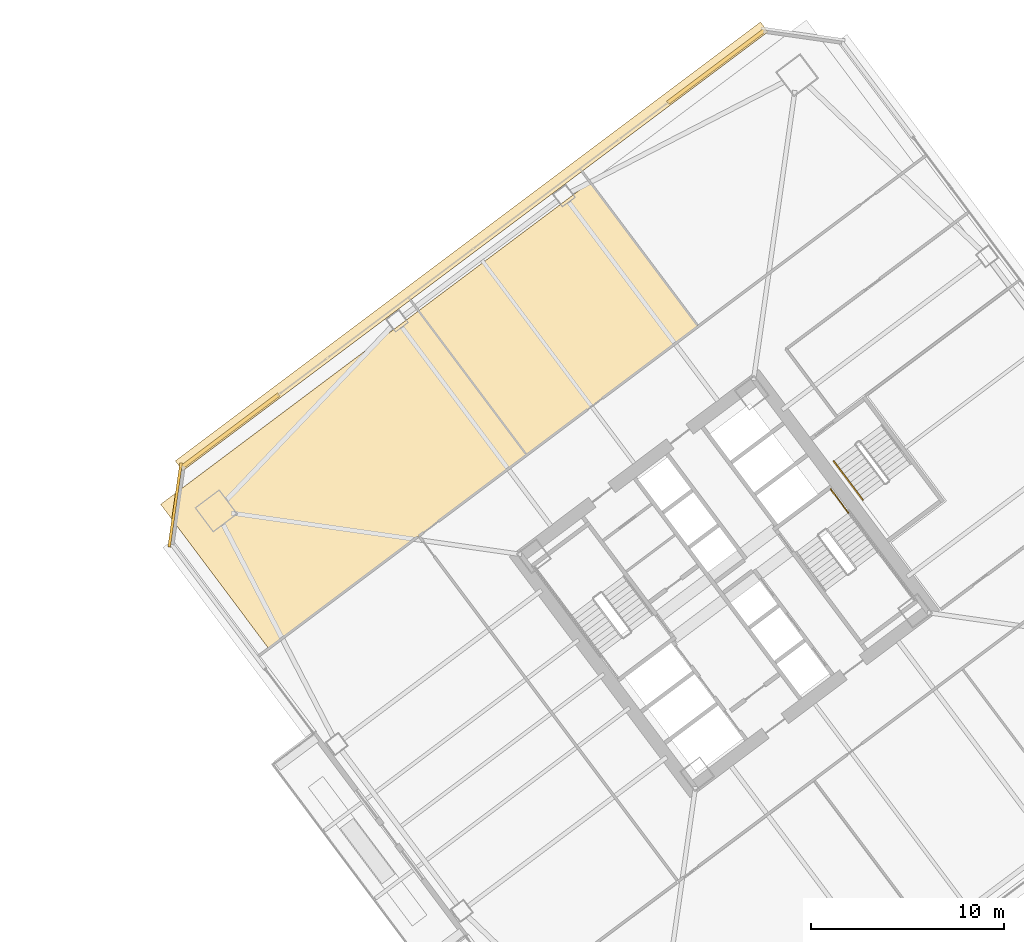
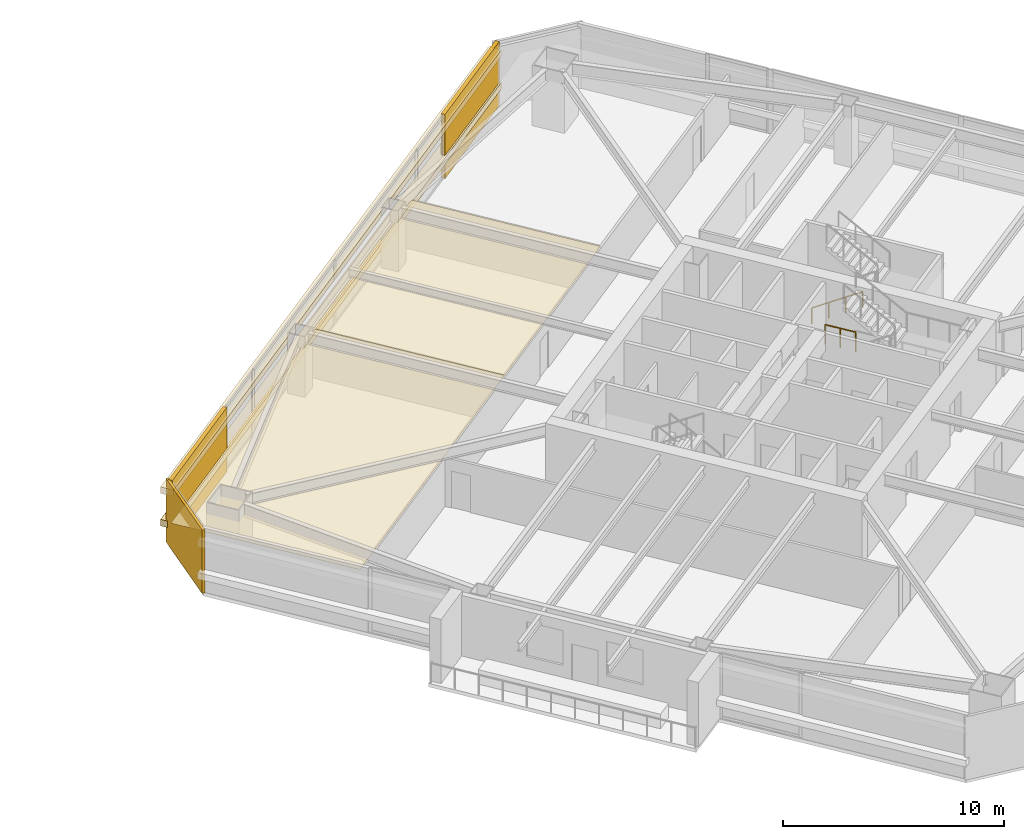
# One storey, part 45 of 48: 7 coverings, 2 railings.
"""IFC4 building model written with IfcOpenShell, lengths in metres."""

from ifc_helpers import new_model, si_unit, direction, frame, origin, origin_2d, place, context, subcontext, project, spatial, polyline, rectangle, outline, extrude, material, layer, layer_set, type_object, element, save


model = new_model("IFC4")

# Units and contexts
model_context = context("Model", 3, precision=1e-05, world=origin(), true_north=direction((0.0, 1.0)))
body_context = subcontext(model_context, "Body", "Model", "MODEL_VIEW")
ifc_project = project(units=[si_unit("LENGTHUNIT", "METRE"), si_unit("AREAUNIT", "SQUARE_METRE"), si_unit("VOLUMEUNIT", "CUBIC_METRE"), si_unit("PLANEANGLEUNIT", "RADIAN"), si_unit("MASSUNIT", "GRAM", prefix="KILO")], contexts=[model_context])

# Site, building, storey
site_placement = place(None, origin())
site = spatial("IfcSite", under=ifc_project, at=site_placement, CompositionType="ELEMENT")
building_placement = place(site_placement, origin())
building = spatial("IfcBuilding", under=site, at=building_placement, Name="Tashvorn Skyway Center", CompositionType="ELEMENT")
storey_placement = place(building_placement, frame((0.0, 0.0, 56.550048828125)))
storey = spatial("IfcBuildingStorey", under=building, at=storey_placement, Name="L14", CompositionType="ELEMENT", Elevation=56.550048828125)

# Coverings
ifc_material_1 = material(Name="Precast concrete C40/50", Category="concrete")
ifc_layer_1 = layer(ifc_material_1, 0.199951171875)
ifc_layer_set_1 = layer_set([ifc_layer_1], Name="Precast concrete C40/50")
covering_type_1 = type_object("IfcCoveringType", Name="COV-BRACE-CLAD", PredefinedType="CLADDING", material=ifc_layer_set_1)
for number, where, z_axis, x_axis, name in (
    (1, (88.4052734375, 39.904052734375, 0.0), (0.0, 0.0, 1.0), (0.799999996291, 0.600000004945, 0.0), "Tower 2 L14 North Unitised Curtain Wall Mega-Brace Cladding Band 1"),
    (2, (113.57861328125, 58.783935546875, 0.0), (0.0, 0.0, 1.0), (0.799999996291, 0.600000004945, 0.0), "Tower 2 L14 North Unitised Curtain Wall Mega-Brace Cladding Band 2"),
):
    element("IfcCovering", number, at=place(storey_placement, frame(where, z_axis=z_axis, x_axis=x_axis)), inside=storey, type_object=covering_type_1, Name=name, PredefinedType="CLADDING", context=body_context, shape_type="SweptSolid", body=[
        extrude(rectangle(XDim=6.29345703125, YDim=0.199951171875, at=origin_2d()), origin(), (0.0, 0.0, 1.0), 3.550048828125),
    ])
ifc_material_2 = material(Name="Mineral-fibre acoustic ceiling tile on suspended grid")
ifc_layer_2 = layer(ifc_material_2, 0.02001953125)
ifc_layer_set_2 = layer_set([ifc_layer_2], Name="Mineral-fibre acoustic ceiling tile on suspended grid")
covering_type_2 = type_object("IfcCoveringType", Name="COV-CEIL-20", PredefinedType="CEILING", material=ifc_layer_set_2)
covering_1_placement = place(storey_placement, frame((0.0, 0.0, 2.682861328125)))
element("IfcCovering", 3, at=covering_1_placement, inside=storey, type_object=covering_type_2, Name="Tower 2 L14 Operations Control Room Acoustic Ceiling", PredefinedType="CEILING", context=body_context, shape_type="SweptSolid", body=[
    extrude(outline(polyline([(90.39794921875, 28.635986328125), (103.758056640625, 38.656005859375), (98.159912109375, 46.1201171875), (84.800048828125, 36.10009765625), (90.39794921875, 28.635986328125)])), origin(), (0.0, 0.0, 1.0), 0.02001953125),
])
covering_2_placement = place(storey_placement, frame((0.0, 0.0, 2.682861328125)))
element("IfcCovering", 4, at=covering_2_placement, inside=storey, type_object=covering_type_2, Name="Tower 2 L14 Operations Control Room Acoustic Ceiling", PredefinedType="CEILING", context=body_context, shape_type="SweptSolid", body=[
    extrude(outline(polyline([(103.758056640625, 38.656005859375), (112.637939453125, 45.31591796875), (107.0400390625, 52.780029296875), (98.159912109375, 46.1201171875), (103.758056640625, 38.656005859375)])), origin(), (0.0, 0.0, 1.0), 0.02001953125),
])
ifc_material_3 = material(Name="Perforated ceramic-coated bronze aluminium solar screen", Category="aluminium")
ifc_layer_3 = layer(ifc_material_3, 0.85009765625)
ifc_layer_set_3 = layer_set([ifc_layer_3], Name="Perforated ceramic-coated bronze aluminium solar screen")
covering_type_3 = type_object("IfcCoveringType", Name="COV-SOLAR-BAND", PredefinedType="CLADDING", material=ifc_layer_set_3)
for number, where, z_axis, x_axis, name in (
    (5, (100.907958984375, 49.4560546875, 0.919921875), (0.0, 0.0, 1.0), (0.799999996291, 0.600000004945, 0.0), "L14 Perforated Ceramic-Metal Solar Screen Louvre Band North 1"),
    (6, (100.907958984375, 49.4560546875, 2.7197265625), (0.0, 0.0, 1.0), (0.799999996291, 0.600000004945, 0.0), "L14 Perforated Ceramic-Metal Solar Screen Louvre Band North 2"),
):
    element("IfcCovering", number, at=place(storey_placement, frame(where, z_axis=z_axis, x_axis=x_axis)), inside=storey, type_object=covering_type_3, Name=name, PredefinedType="CLADDING", context=body_context, shape_type="SweptSolid", body=[
        extrude(rectangle(XDim=37.8798828125, YDim=0.639892578125, at=origin_2d()), origin(), (0.0, 0.0, 1.0), 0.360107421875),
    ])
ifc_layer_4 = layer(ifc_material_1, 0.35009765625)
ifc_layer_set_4 = layer_set([ifc_layer_4], Name="Precast concrete C40/50")
covering_type_4 = type_object("IfcCoveringType", Name="COV-STONE-TRIM", PredefinedType="CLADDING", material=ifc_layer_set_4)
covering_3_placement = place(storey_placement, frame((85.552001953125, 36.06396484375, 0.02001953125), z_axis=(0.0, 0.0, 1.0), x_axis=(-0.141421350118, -0.989949494535, 0.0)))
element("IfcCovering", 7, at=covering_3_placement, inside=storey, type_object=covering_type_4, Name="Tower 2 L14 NW Mojave Limestone Corner Quoin", PredefinedType="CLADDING", context=body_context, shape_type="SweptSolid", body=[
    extrude(rectangle(XDim=4.402587890625, YDim=0.139892578125, at=origin_2d()), origin(), (0.0, 0.0, 1.0), 3.510009765625),
])

# Railings
ifc_material_4 = material(Name="Brushed stainless steel 316", Category="steel")
railing_type_1 = type_object("IfcRailingType", Name="RAIL-HAND-920", PredefinedType="HANDRAIL", material=ifc_material_4)
railing_1_placement = place(storey_placement, frame((119.656005859375, 38.342041015625, 0.177490234375)))
element("IfcRailing", 8, at=railing_1_placement, inside=storey, type_object=railing_type_1, Name="L14 ST-T2-3 stair handrail 1", PredefinedType="HANDRAIL", context=body_context, shape_type="SweptSolid", body=[
    extrude(rectangle(XDim=0.048095703125, YDim=0.048095703125, at=origin_2d()), frame((0.0, 0.0, 0.8759765625), z_axis=(0.506740800098, -0.675708949977, 0.535379469569), x_axis=(0.800023250257, 0.599968998406, 0.0)), (0.0, 0.0, 1.0), 2.983642578125),
    extrude(rectangle(XDim=0.0419921875, YDim=0.0419921875, at=origin_2d()), origin(), (0.0, 0.0, 1.0), 0.851806640625),
    extrude(rectangle(XDim=0.0419921875, YDim=0.0419921875, at=origin_2d()), frame((0.50390625, -0.672119140625, 0.532470703125)), (0.0, 0.0, 1.0), 0.851806640625),
    extrude(rectangle(XDim=0.0419921875, YDim=0.0419921875, at=origin_2d()), frame((1.008056640625, -1.343994140625, 1.06494140625)), (0.0, 0.0, 1.0), 0.851806640625),
    extrude(rectangle(XDim=0.0419921875, YDim=0.0419921875, at=origin_2d()), frame((1.511962890625, -2.01611328125, 1.597412109375)), (0.0, 0.0, 1.0), 0.851806640625),
])
ifc_material_5 = material(Name="Painted galvanized steel S355", Category="steel")
railing_type_2 = type_object("IfcRailingType", Name="RAIL-STGUARD-1100", PredefinedType="GUARDRAIL", material=ifc_material_5)
railing_2_placement = place(storey_placement, frame((119.50390625, 36.8779296875, 0.0)))
element("IfcRailing", 9, at=railing_2_placement, inside=storey, type_object=railing_type_2, Name="L14 ST-T2-2 stair guard 6", PredefinedType="GUARDRAIL", context=body_context, shape_type="SweptSolid", body=[
    extrude(rectangle(XDim=0.048095703125, YDim=0.048095703125, at=origin_2d()), frame((0.0, 0.0, 1.076171875), z_axis=(0.600102796382, -0.799922892393, 0.0), x_axis=(0.799922892393, 0.600102796382, 0.0)), (0.0, 0.0, 1.0), 1.52001953125),
    extrude(rectangle(XDim=0.0419921875, YDim=0.0419921875, at=origin_2d()), origin(), (0.0, 0.0, 1.0), 1.052001953125),
    extrude(rectangle(XDim=0.0419921875, YDim=0.0419921875, at=origin_2d()), frame((0.4560546875, -0.60791015625, 0.0)), (0.0, 0.0, 1.0), 1.052001953125),
    extrude(rectangle(XDim=0.0419921875, YDim=0.0419921875, at=origin_2d()), frame((0.912109375, -1.2158203125, 0.0)), (0.0, 0.0, 1.0), 1.052001953125),
])

save(model, "model.ifc")
